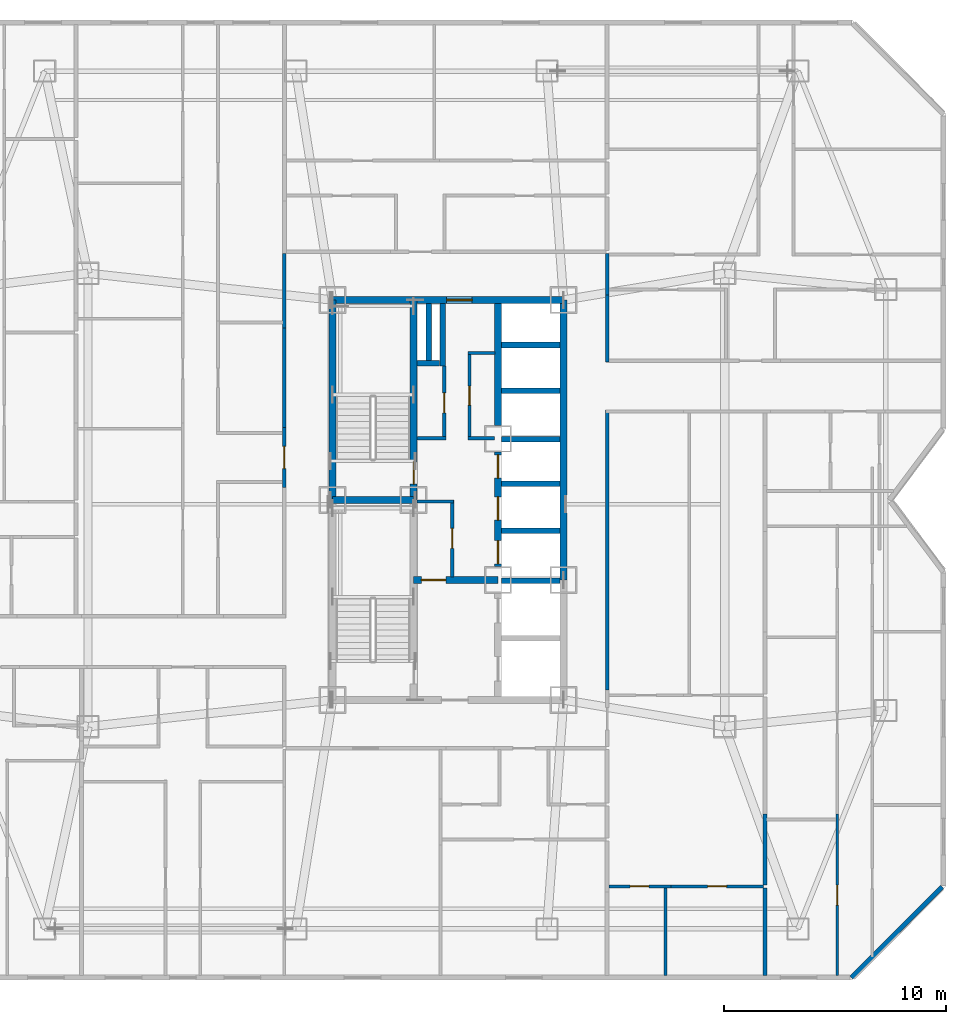
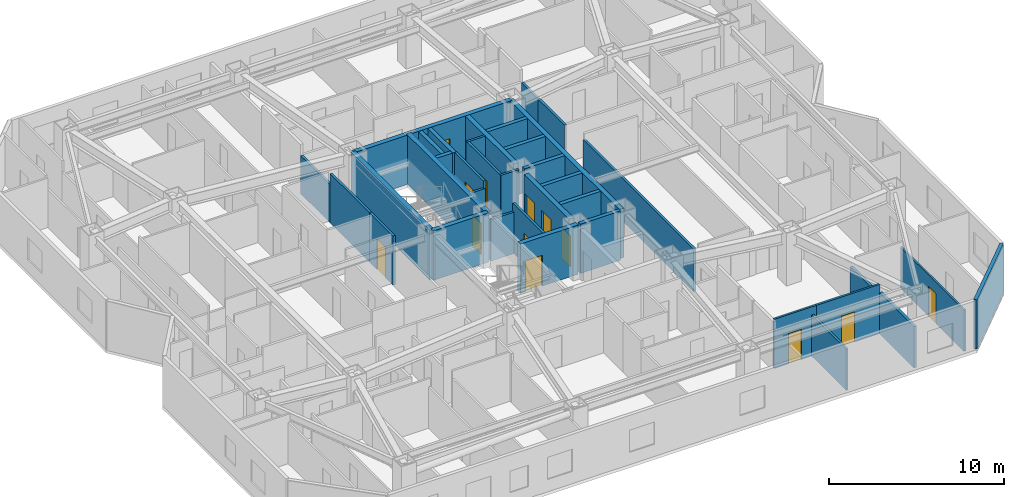
# One storey, part 8 of 13: 37 walls, 13 doors, 13 openings.
"""IFC4 building model written with IfcOpenShell, lengths in metres."""

from ifc_helpers import new_model, si_unit, direction, frame, frame_2d, origin, place, context, subcontext, project, spatial, rectangle, extrude, material, layer, layer_set, type_object, element, fill, save


model = new_model("IFC4")

# Units and contexts
model_context = context("Model", 3, precision=1e-05, world=origin(), true_north=direction((0.0, 1.0)))
body_context = subcontext(model_context, "Body", "Model", "MODEL_VIEW")
ifc_project = project(units=[si_unit("LENGTHUNIT", "METRE"), si_unit("AREAUNIT", "SQUARE_METRE"), si_unit("VOLUMEUNIT", "CUBIC_METRE"), si_unit("PLANEANGLEUNIT", "RADIAN"), si_unit("MASSUNIT", "GRAM", prefix="KILO")], contexts=[model_context])

# Site, building, storey
site_placement = place(None, origin())
site = spatial("IfcSite", under=ifc_project, at=site_placement, CompositionType="ELEMENT")
building_placement = place(site_placement, origin())
building = spatial("IfcBuilding", under=site, at=building_placement, Name="Khamvora Tower", CompositionType="ELEMENT")
storey_placement = place(building_placement, frame((0.0, 0.0, 105.550048828125)))
storey = spatial("IfcBuildingStorey", under=building, at=storey_placement, Name="L26", CompositionType="ELEMENT", Elevation=105.550048828125)

# Wall
ifc_material_1 = material(Name="Concrete C50/60", Category="concrete")
ifc_layer_1 = layer(ifc_material_1, 0.300048828125)
ifc_layer_set_1 = layer_set([ifc_layer_1], Name="Concrete C50/60")
wall_type_1 = type_object("IfcWallType", Name="WAL-CORE-300", PredefinedType="SHEAR", material=ifc_layer_set_1)
wall_1_placement = place(storey_placement, frame((29.0, 28.0, 0.0), z_axis=(0.0, 0.0, 1.0), x_axis=(0.0, 1.0, 0.0)))
element("IfcWall", 1, at=wall_1_placement, inside=storey, type_object=wall_type_1, Name="L26 central core west north wall", PredefinedType="SHEAR", context=body_context, shape_type="SweptSolid", body=[
    extrude(rectangle(XDim=9.0, YDim=0.300048828125, at=frame_2d((4.5, 0.0))), origin(), (0.0, 0.0, 1.0), 3.429931640625),
])

# Wall, opening, door
wall_2_placement = place(storey_placement, frame((29.0, 37.0, 0.0), z_axis=(0.0, 0.0, 1.0), x_axis=(1.0, 0.0, 0.0)))
wall_2 = element("IfcWall", 2, at=wall_2_placement, inside=storey, type_object=wall_type_1, Name="L26 central core north wall", PredefinedType="SHEAR", context=body_context, shape_type="SweptSolid", body=[
    extrude(rectangle(XDim=10.39990234375, YDim=0.300048828125, at=frame_2d((5.199951171875, 0.0))), origin(), (0.0, 0.0, 1.0), 3.429931640625),
])
opening_1_placement = place(wall_2_placement, frame((5.139892578125, 0.0, 0.0)))
opening_1 = element("IfcOpeningElement", 3, at=opening_1_placement, cuts=wall_2, Name="Opening D-SC1", PredefinedType="OPENING", context=body_context, shape_type="SweptSolid", body=[
    extrude(rectangle(XDim=1.14990234375, YDim=2.199951171875, at=frame_2d((0.574951171875, 1.10009765625))), frame((0.0, 0.159912109375, 0.0), z_axis=(0.0, -1.0, 0.0), x_axis=(1.0, 0.0, 0.0)), (0.0, 0.0, 1.0), 0.320068359375),
])
ifc_material_2 = material(Name="Powder-Coated Steel and Hardwood Leaf", Category="steel")
door_type_1 = type_object("IfcDoorType", Name="DOR-SCHL-1150", OperationType="NOTDEFINED", PredefinedType="DOOR", material=ifc_material_2)
door_1_placement = place(opening_1_placement, origin())
door_1 = element("IfcDoor", 4, at=door_1_placement, inside=storey, type_object=door_type_1, Name="L26 north core lobby to corridor fire door", OperationType="SINGLE_SWING_LEFT", OverallHeight=2.199951171875, OverallWidth=1.14990234375, PredefinedType="DOOR", context=body_context, shape_type="SweptSolid", body=[
    extrude(rectangle(XDim=1.14990234375, YDim=2.199951171875, at=frame_2d((0.574951171875, 1.10009765625))), frame((0.0, 0.02490234375, 0.0), z_axis=(0.0, -1.0, 0.0), x_axis=(1.0, 0.0, 0.0)), (0.0, 0.0, 1.0), 0.050048828125),
])
fill(opening_1, door_1)

# Wall
wall_3_placement = place(storey_placement, frame((39.39990234375, 24.39990234375, 0.0), z_axis=(0.0, 0.0, 1.0), x_axis=(0.0, 1.0, 0.0)))
element("IfcWall", 5, at=wall_3_placement, inside=storey, type_object=wall_type_1, Name="L26 central core east north wall", PredefinedType="SHEAR", context=body_context, shape_type="SweptSolid", body=[
    extrude(rectangle(XDim=12.60009765625, YDim=0.300048828125, at=frame_2d((6.300048828125, 0.0))), origin(), (0.0, 0.0, 1.0), 3.429931640625),
])

# Wall, opening, door
wall_4_placement = place(storey_placement, frame((32.64990234375, 28.0, 0.0), z_axis=(0.0, 0.0, 1.0), x_axis=(0.0, 1.0, 0.0)))
wall_4 = element("IfcWall", 6, at=wall_4_placement, inside=storey, type_object=wall_type_1, Name="L26 central core stair north spine wall", PredefinedType="SHEAR", context=body_context, shape_type="SweptSolid", body=[
    extrude(rectangle(XDim=9.0, YDim=0.300048828125, at=frame_2d((4.5, 0.0))), origin(), (0.0, 0.0, 1.0), 3.429931640625),
])
opening_2_placement = place(wall_4_placement, frame((0.719970703125, 0.0, 0.0)))
opening_2 = element("IfcOpeningElement", 7, at=opening_2_placement, cuts=wall_4, Name="Opening D-ST1", PredefinedType="OPENING", context=body_context, shape_type="SweptSolid", body=[
    extrude(rectangle(XDim=1.0, YDim=2.14990234375, at=frame_2d((0.5, 1.074951171875))), frame((0.0, 0.159912109375, 0.0), z_axis=(0.0, -1.0, 0.0), x_axis=(1.0, 0.0, 0.0)), (0.0, 0.0, 1.0), 0.320068359375),
])
door_type_2 = type_object("IfcDoorType", Name="DOR-STAIR-1000", OperationType="NOTDEFINED", PredefinedType="DOOR", material=ifc_material_2)
door_2_placement = place(opening_2_placement, origin())
door_2 = element("IfcDoor", 8, at=door_2_placement, inside=storey, type_object=door_type_2, Name="L26 exit stair ST-02 fire door", OperationType="SINGLE_SWING_RIGHT", OverallHeight=2.14990234375, OverallWidth=1.0, PredefinedType="DOOR", context=body_context, shape_type="SweptSolid", body=[
    extrude(rectangle(XDim=1.0, YDim=2.14990234375, at=frame_2d((0.5, 1.074951171875))), frame((0.0, 0.02490234375, 0.0), z_axis=(0.0, -1.0, 0.0), x_axis=(1.0, 0.0, 0.0)), (0.0, 0.0, 1.0), 0.050048828125),
])
fill(opening_2, door_2)

# Wall
wall_5_placement = place(storey_placement, frame((29.0, 28.0, 0.0), z_axis=(0.0, 0.0, 1.0), x_axis=(1.0, 0.0, 0.0)))
element("IfcWall", 9, at=wall_5_placement, inside=storey, type_object=wall_type_1, Name="L26 central core stair cross wall", PredefinedType="SHEAR", context=body_context, shape_type="SweptSolid", body=[
    extrude(rectangle(XDim=3.64990234375, YDim=0.300048828125, at=frame_2d((1.824951171875, 0.0))), origin(), (0.0, 0.0, 1.0), 3.429931640625),
])

# Wall, opening, door
wall_6_placement = place(storey_placement, frame((32.64990234375, 24.39990234375, 0.0), z_axis=(0.0, 0.0, 1.0), x_axis=(1.0, 0.0, 0.0)))
wall_6 = element("IfcWall", 10, at=wall_6_placement, inside=storey, type_object=wall_type_1, Name="L26 central core firefighting lobby north wall", PredefinedType="SHEAR", context=body_context, shape_type="SweptSolid", body=[
    extrude(rectangle(XDim=3.800048828125, YDim=0.300048828125, at=frame_2d((1.89990234375, 0.0))), origin(), (0.0, 0.0, 1.0), 3.429931640625),
])
opening_3_placement = place(wall_6_placement, frame((0.35009765625, 0.0, 0.0)))
opening_3 = element("IfcOpeningElement", 11, at=opening_3_placement, cuts=wall_6, Name="Opening D-FF1", PredefinedType="OPENING", context=body_context, shape_type="SweptSolid", body=[
    extrude(rectangle(XDim=1.10009765625, YDim=2.14990234375, at=frame_2d((0.550048828125, 1.074951171875))), frame((0.0, 0.159912109375, 0.0), z_axis=(0.0, -1.0, 0.0), x_axis=(1.0, 0.0, 0.0)), (0.0, 0.0, 1.0), 0.320068359375),
])
door_type_3 = type_object("IfcDoorType", Name="DOR-FFLOB-1100", OperationType="NOTDEFINED", PredefinedType="DOOR", material=ifc_material_2)
door_3_placement = place(opening_3_placement, origin())
door_3 = element("IfcDoor", 12, at=door_3_placement, inside=storey, type_object=door_type_3, Name="L26 firefighting lobby smoke-seal fire door", OperationType="SINGLE_SWING_LEFT", OverallHeight=2.14990234375, OverallWidth=1.10009765625, PredefinedType="DOOR", context=body_context, shape_type="SweptSolid", body=[
    extrude(rectangle(XDim=1.10009765625, YDim=2.14990234375, at=frame_2d((0.550048828125, 1.074951171875))), frame((0.0, 0.02490234375, 0.0), z_axis=(0.0, -1.0, 0.0), x_axis=(1.0, 0.0, 0.0)), (0.0, 0.0, 1.0), 0.050048828125),
])
fill(opening_3, door_3)

# Wall, openings, doors
wall_7_placement = place(storey_placement, frame((36.449951171875, 25.0, 0.0), z_axis=(0.0, 0.0, 1.0), x_axis=(0.0, 1.0, 0.0)))
wall_7 = element("IfcWall", 13, at=wall_7_placement, inside=storey, type_object=wall_type_1, Name="L26 central core lift bank central wall", PredefinedType="SHEAR", context=body_context, shape_type="SweptSolid", body=[
    extrude(rectangle(XDim=5.14990234375, YDim=0.300048828125, at=frame_2d((2.574951171875, 0.0))), origin(), (0.0, 0.0, 1.0), 3.429931640625),
])
opening_4_placement = place(wall_7_placement, frame((0.1201171875, 0.0, 0.0)))
opening_4 = element("IfcOpeningElement", 14, at=opening_4_placement, cuts=wall_7, Name="Opening LD-PL", PredefinedType="OPENING", context=body_context, shape_type="SweptSolid", body=[
    extrude(rectangle(XDim=1.050048828125, YDim=2.14990234375, at=frame_2d((0.52490234375, 1.074951171875))), frame((0.0, 0.159912109375, 0.0), z_axis=(0.0, -1.0, 0.0), x_axis=(1.0, 0.0, 0.0)), (0.0, 0.0, 1.0), 0.320068359375),
])
opening_5_placement = place(wall_7_placement, frame((2.094970703125, 0.0, 0.0)))
opening_5 = element("IfcOpeningElement", 15, at=opening_5_placement, cuts=wall_7, Name="Opening LD-PL", PredefinedType="OPENING", context=body_context, shape_type="SweptSolid", body=[
    extrude(rectangle(XDim=1.050048828125, YDim=2.14990234375, at=frame_2d((0.52490234375, 1.074951171875))), frame((0.0, 0.159912109375, 0.0), z_axis=(0.0, -1.0, 0.0), x_axis=(1.0, 0.0, 0.0)), (0.0, 0.0, 1.0), 0.320068359375),
])
opening_6_placement = place(wall_7_placement, frame((3.97998046875, 0.0, 0.0)))
opening_6 = element("IfcOpeningElement", 16, at=opening_6_placement, cuts=wall_7, Name="Opening LD-PL", PredefinedType="OPENING", context=body_context, shape_type="SweptSolid", body=[
    extrude(rectangle(XDim=1.050048828125, YDim=2.14990234375, at=frame_2d((0.52490234375, 1.074951171875))), frame((0.0, 0.159912109375, 0.0), z_axis=(0.0, -1.0, 0.0), x_axis=(1.0, 0.0, 0.0)), (0.0, 0.0, 1.0), 0.320068359375),
])
door_type_4 = type_object("IfcDoorType", Name="DOR-LIFT-1050", OperationType="SLIDING_TO_LEFT", PredefinedType="DOOR", material=ifc_material_2)
door_4_placement = place(opening_4_placement, origin())
door_4 = element("IfcDoor", 17, at=door_4_placement, inside=storey, type_object=door_type_4, Name="L26 lift landing sliding door PL-01", OperationType="SLIDING_TO_LEFT", OverallHeight=2.14990234375, OverallWidth=1.050048828125, PredefinedType="DOOR", context=body_context, shape_type="SweptSolid", body=[
    extrude(rectangle(XDim=1.050048828125, YDim=2.14990234375, at=frame_2d((0.52490234375, 1.074951171875))), frame((0.0, 0.02490234375, 0.0), z_axis=(0.0, -1.0, 0.0), x_axis=(1.0, 0.0, 0.0)), (0.0, 0.0, 1.0), 0.050048828125),
])
fill(opening_4, door_4)
door_5_placement = place(opening_5_placement, origin())
door_5 = element("IfcDoor", 18, at=door_5_placement, inside=storey, type_object=door_type_4, Name="L26 lift landing sliding door PL-02", OperationType="SLIDING_TO_LEFT", OverallHeight=2.14990234375, OverallWidth=1.050048828125, PredefinedType="DOOR", context=body_context, shape_type="SweptSolid", body=[
    extrude(rectangle(XDim=1.050048828125, YDim=2.14990234375, at=frame_2d((0.52490234375, 1.074951171875))), frame((0.0, 0.02490234375, 0.0), z_axis=(0.0, -1.0, 0.0), x_axis=(1.0, 0.0, 0.0)), (0.0, 0.0, 1.0), 0.050048828125),
])
fill(opening_5, door_5)
door_6_placement = place(opening_6_placement, origin())
door_6 = element("IfcDoor", 19, at=door_6_placement, inside=storey, type_object=door_type_4, Name="L26 lift landing sliding door PL-03", OperationType="SLIDING_TO_LEFT", OverallHeight=2.14990234375, OverallWidth=1.050048828125, PredefinedType="DOOR", context=body_context, shape_type="SweptSolid", body=[
    extrude(rectangle(XDim=1.050048828125, YDim=2.14990234375, at=frame_2d((0.52490234375, 1.074951171875))), frame((0.0, 0.02490234375, 0.0), z_axis=(0.0, -1.0, 0.0), x_axis=(1.0, 0.0, 0.0)), (0.0, 0.0, 1.0), 0.050048828125),
])
fill(opening_6, door_6)

# Walls
wall_8_placement = place(storey_placement, frame((36.449951171875, 31.35009765625, 0.0), z_axis=(0.0, 0.0, 1.0), x_axis=(0.0, 1.0, 0.0)))
element("IfcWall", 20, at=wall_8_placement, inside=storey, type_object=wall_type_1, Name="L26 central core lift bank north wall", PredefinedType="SHEAR", context=body_context, shape_type="SweptSolid", body=[
    extrude(rectangle(XDim=5.495849609375, YDim=0.300048828125, at=frame_2d((2.748046875, 0.0))), origin(), (0.0, 0.0, 1.0), 3.429931640625),
])
ifc_material_3 = material(Name="Fire-Rated Drywall and Steel Stud", Category="steel")
ifc_layer_2 = layer(ifc_material_3, 0.14990234375)
ifc_layer_set_2 = layer_set([ifc_layer_2], Name="Fire-Rated Drywall and Steel Stud")
wall_type_2 = type_object("IfcWallType", Name="WAL-CORR-150", PredefinedType="STANDARD", material=ifc_layer_set_2)
wall_9_placement = place(storey_placement, frame((36.305908203125, 34.614990234375, 0.0), z_axis=(0.0, 0.0, 1.0), x_axis=(-1.0, 0.0, 0.0)))
element("IfcWall", 21, at=wall_9_placement, inside=storey, type_object=wall_type_2, Name="L26 interior partition wall 001", PredefinedType="STANDARD", context=body_context, shape_type="SweptSolid", body=[
    extrude(rectangle(XDim=1.205810546875, YDim=0.14990234375, at=frame_2d((0.60302734375, 0.0))), origin(), (0.0, 0.0, 1.0), 3.429931640625),
])

# Wall, opening, door
wall_10_placement = place(storey_placement, frame((35.1650390625, 34.677978515625, 0.0), z_axis=(0.0, 0.0, 1.0), x_axis=(0.0, -1.0, 0.0)))
wall_10 = element("IfcWall", 22, at=wall_10_placement, inside=storey, type_object=wall_type_2, Name="L26 interior partition wall 002", PredefinedType="STANDARD", context=body_context, shape_type="SweptSolid", body=[
    extrude(rectangle(XDim=3.9580078125, YDim=0.14990234375, at=frame_2d((1.97900390625, 0.0))), origin(), (0.0, 0.0, 1.0), 3.429931640625),
])
opening_7_placement = place(wall_10_placement, frame((1.553955078125, 0.0, 0.0)))
opening_7 = element("IfcOpeningElement", 23, at=opening_7_placement, cuts=wall_10, Name="Opening D-WC1", PredefinedType="OPENING", context=body_context, shape_type="SweptSolid", body=[
    extrude(rectangle(XDim=0.85009765625, YDim=2.10009765625, at=frame_2d((0.425048828125, 1.050048828125))), frame((0.0, 0.0849609375, 0.0), z_axis=(0.0, -1.0, 0.0), x_axis=(1.0, 0.0, 0.0)), (0.0, 0.0, 1.0), 0.169921875),
])
door_type_5 = type_object("IfcDoorType", Name="DOR-WET-850", OperationType="NOTDEFINED", PredefinedType="DOOR", material=ifc_material_2)
door_7_placement = place(opening_7_placement, origin())
door_7 = element("IfcDoor", 24, at=door_7_placement, inside=storey, type_object=door_type_5, Name="L26 interior door PLL-CS1", OperationType="SINGLE_SWING_RIGHT", OverallHeight=2.10009765625, OverallWidth=0.85009765625, PredefinedType="DOOR", context=body_context, shape_type="SweptSolid", body=[
    extrude(rectangle(XDim=0.85009765625, YDim=2.10009765625, at=frame_2d((0.425048828125, 1.050048828125))), frame((0.0, 0.02490234375, 0.0), z_axis=(0.0, -1.0, 0.0), x_axis=(1.0, 0.0, 0.0)), (0.0, 0.0, 1.0), 0.050048828125),
])
fill(opening_7, door_7)

# Walls
wall_11_placement = place(storey_placement, frame((35.10205078125, 30.784912109375, 0.0), z_axis=(0.0, 0.0, 1.0), x_axis=(1.0, 0.0, 0.0)))
element("IfcWall", 25, at=wall_11_placement, inside=storey, type_object=wall_type_2, Name="L26 interior partition wall 003", PredefinedType="STANDARD", context=body_context, shape_type="SweptSolid", body=[
    extrude(rectangle(XDim=1.197998046875, YDim=0.14990234375, at=frame_2d((0.59912109375, 0.0))), origin(), (0.0, 0.0, 1.0), 3.429931640625),
])
wall_12_placement = place(storey_placement, frame((32.7939453125, 30.784912109375, 0.0), z_axis=(0.0, 0.0, 1.0), x_axis=(1.0, 0.0, 0.0)))
element("IfcWall", 26, at=wall_12_placement, inside=storey, type_object=wall_type_2, Name="L26 interior partition wall 004", PredefinedType="STANDARD", context=body_context, shape_type="SweptSolid", body=[
    extrude(rectangle(XDim=1.30615234375, YDim=0.14990234375, at=frame_2d((0.653076171875, 0.0))), origin(), (0.0, 0.0, 1.0), 2.886962890625),
])

# Wall, opening, door
wall_13_placement = place(storey_placement, frame((34.034912109375, 30.719970703125, 0.0), z_axis=(0.0, 0.0, 1.0), x_axis=(0.0, 1.0, 0.0)))
wall_13 = element("IfcWall", 27, at=wall_13_placement, inside=storey, type_object=wall_type_2, Name="L26 interior partition wall 005", PredefinedType="STANDARD", context=body_context, shape_type="SweptSolid", body=[
    extrude(rectangle(XDim=3.300048828125, YDim=0.14990234375, at=frame_2d((1.64990234375, 0.0))), origin(), (0.0, 0.0, 1.0), 3.429931640625),
])
opening_8_placement = place(wall_13_placement, frame((1.199951171875, 0.0, 0.0)))
opening_8 = element("IfcOpeningElement", 28, at=opening_8_placement, cuts=wall_13, Name="Opening D-RM1", PredefinedType="OPENING", context=body_context, shape_type="SweptSolid", body=[
    extrude(rectangle(XDim=0.89990234375, YDim=2.10009765625, at=frame_2d((0.449951171875, 1.050048828125))), frame((0.0, 0.0849609375, 0.0), z_axis=(0.0, -1.0, 0.0), x_axis=(1.0, 0.0, 0.0)), (0.0, 0.0, 1.0), 0.169921875),
])
door_type_6 = type_object("IfcDoorType", Name="DOR-ROOM-900", OperationType="NOTDEFINED", PredefinedType="DOOR", material=ifc_material_2)
door_8_placement = place(opening_8_placement, origin())
door_8 = element("IfcDoor", 29, at=door_8_placement, inside=storey, type_object=door_type_6, Name="L26 interior door PLL-CS2", OperationType="SINGLE_SWING_LEFT", OverallHeight=2.10009765625, OverallWidth=0.89990234375, PredefinedType="DOOR", context=body_context, shape_type="SweptSolid", body=[
    extrude(rectangle(XDim=0.89990234375, YDim=2.10009765625, at=frame_2d((0.449951171875, 1.050048828125))), frame((0.0, 0.02490234375, 0.0), z_axis=(0.0, -1.0, 0.0), x_axis=(1.0, 0.0, 0.0)), (0.0, 0.0, 1.0), 0.050048828125),
])
fill(opening_8, door_8)

wall_14_placement = place(storey_placement, frame((34.385009765625, 24.5439453125, 0.0), z_axis=(0.0, 0.0, 1.0), x_axis=(0.0, 1.0, 0.0)))
wall_14 = element("IfcWall", 30, at=wall_14_placement, inside=storey, type_object=wall_type_2, Name="L26 interior partition wall 006", PredefinedType="STANDARD", context=body_context, shape_type="SweptSolid", body=[
    extrude(rectangle(XDim=3.4560546875, YDim=0.14990234375, at=frame_2d((1.72802734375, 0.0))), origin(), (0.0, 0.0, 1.0), 3.429931640625),
])
opening_9_placement = place(wall_14_placement, frame((1.278076171875, 0.0, 0.0)))
opening_9 = element("IfcOpeningElement", 31, at=opening_9_placement, cuts=wall_14, Name="Opening D-RM1", PredefinedType="OPENING", context=body_context, shape_type="SweptSolid", body=[
    extrude(rectangle(XDim=0.89990234375, YDim=2.10009765625, at=frame_2d((0.449951171875, 1.050048828125))), frame((0.0, 0.0849609375, 0.0), z_axis=(0.0, -1.0, 0.0), x_axis=(1.0, 0.0, 0.0)), (0.0, 0.0, 1.0), 0.169921875),
])
door_9_placement = place(opening_9_placement, origin())
door_9 = element("IfcDoor", 32, at=door_9_placement, inside=storey, type_object=door_type_6, Name="L26 interior door PLL-CS3", OperationType="SINGLE_SWING_RIGHT", OverallHeight=2.10009765625, OverallWidth=0.89990234375, PredefinedType="DOOR", context=body_context, shape_type="SweptSolid", body=[
    extrude(rectangle(XDim=0.89990234375, YDim=2.10009765625, at=frame_2d((0.449951171875, 1.050048828125))), frame((0.0, 0.02490234375, 0.0), z_axis=(0.0, -1.0, 0.0), x_axis=(1.0, 0.0, 0.0)), (0.0, 0.0, 1.0), 0.050048828125),
])
fill(opening_9, door_9)

# Walls
wall_15_placement = place(storey_placement, frame((34.449951171875, 27.93505859375, 0.0), z_axis=(0.0, 0.0, 1.0), x_axis=(-1.0, 0.0, 0.0)))
element("IfcWall", 33, at=wall_15_placement, inside=storey, type_object=wall_type_2, Name="L26 interior partition wall 007", PredefinedType="STANDARD", context=body_context, shape_type="SweptSolid", body=[
    extrude(rectangle(XDim=1.656005859375, YDim=0.14990234375, at=frame_2d((0.828125, 0.0))), origin(), (0.0, 0.0, 1.0), 2.886962890625),
])
wall_16_placement = place(storey_placement, frame((26.8349609375, 35.73193359375, 0.0), z_axis=(0.0, 0.0, 1.0), x_axis=(0.0, 1.0, 0.0)))
element("IfcWall", 34, at=wall_16_placement, inside=storey, type_object=wall_type_2, Name="L26 interior partition wall 020", PredefinedType="STANDARD", context=body_context, shape_type="SweptSolid", body=[
    extrude(rectangle(XDim=3.3681640625, YDim=0.14990234375, at=frame_2d((1.68408203125, 0.0))), origin(), (0.0, 0.0, 1.0), 2.64697265625),
])

# Wall, opening, door
wall_17_placement = place(storey_placement, frame((26.8349609375, 28.56689453125, 0.0), z_axis=(0.0, 0.0, 1.0), x_axis=(0.0, 1.0, 0.0)))
wall_17 = element("IfcWall", 35, at=wall_17_placement, inside=storey, type_object=wall_type_2, Name="L26 interior partition wall 021", PredefinedType="STANDARD", context=body_context, shape_type="SweptSolid", body=[
    extrude(rectangle(XDim=2.697998046875, YDim=0.14990234375, at=frame_2d((1.34912109375, 0.0))), origin(), (0.0, 0.0, 1.0), 3.429931640625),
])
opening_10_placement = place(wall_17_placement, frame((0.84912109375, 0.0, 0.0)))
opening_10 = element("IfcOpeningElement", 36, at=opening_10_placement, cuts=wall_17, Name="Opening D-U1", PredefinedType="OPENING", context=body_context, shape_type="SweptSolid", body=[
    extrude(rectangle(XDim=1.0, YDim=2.14990234375, at=frame_2d((0.5, 1.074951171875))), frame((0.0, 0.0849609375, 0.0), z_axis=(0.0, -1.0, 0.0), x_axis=(1.0, 0.0, 0.0)), (0.0, 0.0, 1.0), 0.169921875),
])
door_type_7 = type_object("IfcDoorType", Name="DOR-UNIT-1000", OperationType="NOTDEFINED", PredefinedType="DOOR", material=ifc_material_2)
door_10_placement = place(opening_10_placement, origin())
door_10 = element("IfcDoor", 37, at=door_10_placement, inside=storey, type_object=door_type_7, Name="L26 interior door COR-26WC2H", OperationType="SINGLE_SWING_LEFT", OverallHeight=2.14990234375, OverallWidth=1.0, PredefinedType="DOOR", context=body_context, shape_type="SweptSolid", body=[
    extrude(rectangle(XDim=1.0, YDim=2.14990234375, at=frame_2d((0.5, 1.074951171875))), frame((0.0, 0.02490234375, 0.0), z_axis=(0.0, -1.0, 0.0), x_axis=(1.0, 0.0, 0.0)), (0.0, 0.0, 1.0), 0.050048828125),
])
fill(opening_10, door_10)

# Walls
wall_18_placement = place(storey_placement, frame((26.8349609375, 31.264892578125, 0.0), z_axis=(0.0, 0.0, 1.0), x_axis=(0.0, 1.0, 0.0)))
element("IfcWall", 38, at=wall_18_placement, inside=storey, type_object=wall_type_2, Name="L26 interior partition wall 023", PredefinedType="STANDARD", context=body_context, shape_type="SweptSolid", body=[
    extrude(rectangle(XDim=4.467041015625, YDim=0.14990234375, at=frame_2d((2.2333984375, 0.0))), origin(), (0.0, 0.0, 1.0), 3.429931640625),
])
wall_19_placement = place(storey_placement, frame((41.364990234375, 32.048095703125, 0.0), z_axis=(0.0, 0.0, 1.0), x_axis=(0.0, -1.0, 0.0)))
element("IfcWall", 39, at=wall_19_placement, inside=storey, type_object=wall_type_2, Name="L26 interior partition wall 036", PredefinedType="STANDARD", context=body_context, shape_type="SweptSolid", body=[
    extrude(rectangle(XDim=12.589111328125, YDim=0.14990234375, at=frame_2d((6.29443359375, 0.0))), origin(), (0.0, 0.0, 1.0), 2.9609375),
])
wall_20_placement = place(storey_placement, frame((41.364990234375, 39.10009765625, 0.0), z_axis=(0.0, 0.0, 1.0), x_axis=(0.0, -1.0, 0.0)))
element("IfcWall", 40, at=wall_20_placement, inside=storey, type_object=wall_type_2, Name="L26 interior partition wall 040", PredefinedType="STANDARD", context=body_context, shape_type="SweptSolid", body=[
    extrude(rectangle(XDim=1.885009765625, YDim=0.14990234375, at=frame_2d((0.9423828125, 0.0))), origin(), (0.0, 0.0, 1.0), 2.64697265625),
])
wall_21_placement = place(storey_placement, frame((41.364990234375, 37.215087890625, 0.0), z_axis=(0.0, 0.0, 1.0), x_axis=(0.0, -1.0, 0.0)))
element("IfcWall", 41, at=wall_21_placement, inside=storey, type_object=wall_type_2, Name="L26 interior partition wall 042", PredefinedType="STANDARD", context=body_context, shape_type="SweptSolid", body=[
    extrude(rectangle(XDim=3.01513671875, YDim=0.14990234375, at=frame_2d((1.507568359375, 0.0))), origin(), (0.0, 0.0, 1.0), 2.64697265625),
])
ifc_material_4 = material(Name="Acoustic Double-Stud Fire Wall", Category="gypsum")
ifc_layer_3 = layer(ifc_material_4, 0.179931640625)
ifc_layer_set_3 = layer_set([ifc_layer_3], Name="Acoustic Double-Stud Fire Wall")
wall_type_3 = type_object("IfcWallType", Name="WAL-CORR-180", PredefinedType="STANDARD", material=ifc_layer_set_3)
wall_22_placement = place(storey_placement, frame((48.4599609375, 13.87109375, 0.0), z_axis=(0.0, 0.0, 1.0), x_axis=(0.0, -1.0, 0.0)))
element("IfcWall", 42, at=wall_22_placement, inside=storey, type_object=wall_type_3, Name="L26 interior partition wall 135", PredefinedType="STANDARD", context=body_context, shape_type="SweptSolid", body=[
    extrude(rectangle(XDim=3.196044921875, YDim=0.179931640625, at=frame_2d((1.59814453125, 0.0))), origin(), (0.0, 0.0, 1.0), 2.64697265625),
])
wall_23_placement = place(storey_placement, frame((48.4599609375, 10.544921875, 0.0), z_axis=(0.0, 0.0, 1.0), x_axis=(0.0, -1.0, 0.0)))
element("IfcWall", 43, at=wall_23_placement, inside=storey, type_object=wall_type_3, Name="L26 interior partition wall 143", PredefinedType="STANDARD", context=body_context, shape_type="SweptSolid", body=[
    extrude(rectangle(XDim=3.932861328125, YDim=0.179931640625, at=frame_2d((1.96630859375, 0.0))), origin(), (0.0, 0.0, 1.0), 2.8759765625),
])
ifc_material_5 = material(Name="Precast concrete C40/50", Category="concrete")
ifc_layer_4 = layer(ifc_material_5, 0.219970703125)
ifc_layer_set_4 = layer_set([ifc_layer_4], Name="Precast concrete C40/50")
wall_type_4 = type_object("IfcWallType", Name="WAL-EXT-220", PredefinedType="STANDARD", material=ifc_layer_set_4)
wall_24_placement = place(storey_placement, frame((56.43994140625, 10.595947265625, 0.0), z_axis=(0.0, 0.0, 1.0), x_axis=(-0.707106781187, -0.707106781187, 0.0)))
element("IfcWall", 44, at=wall_24_placement, inside=storey, type_object=wall_type_4, Name="L26 exterior facade wall 13.1", PredefinedType="STANDARD", context=body_context, shape_type="SweptSolid", body=[
    extrude(rectangle(XDim=5.7783203125, YDim=0.219970703125, at=frame_2d((2.88916015625, 0.0))), origin(), (0.0, 0.0, 1.0), 3.429931640625),
])

# Wall, opening, door
ifc_material_6 = material(Name="Gypsum Plasterboard Partition", Category="gypsum")
ifc_layer_5 = layer(ifc_material_6, 0.1201171875)
ifc_layer_set_5 = layer_set([ifc_layer_5], Name="Gypsum Plasterboard Partition")
wall_type_5 = type_object("IfcWallType", Name="WAL-PART-120", PredefinedType="PARTITIONING", material=ifc_layer_set_5)
wall_25_placement = place(storey_placement, frame((51.722900390625, 6.612060546875, 0.0), z_axis=(0.0, 0.0, 1.0), x_axis=(0.0, 1.0, 0.0)))
wall_25 = element("IfcWall", 45, at=wall_25_placement, inside=storey, type_object=wall_type_5, Name="L26 interior partition wall 148", PredefinedType="PARTITIONING", context=body_context, shape_type="SweptSolid", body=[
    extrude(rectangle(XDim=7.259033203125, YDim=0.1201171875, at=frame_2d((3.62939453125, 0.0))), origin(), (0.0, 0.0, 1.0), 2.8759765625),
])
opening_11_placement = place(wall_25_placement, frame((3.157958984375, 0.0, 0.0)))
opening_11 = element("IfcOpeningElement", 46, at=opening_11_placement, cuts=wall_25, Name="Opening D-RM1", PredefinedType="OPENING", context=body_context, shape_type="SweptSolid", body=[
    extrude(rectangle(XDim=0.89990234375, YDim=2.10009765625, at=frame_2d((0.449951171875, 1.050048828125))), frame((0.0, 0.070068359375, 0.0), z_axis=(0.0, -1.0, 0.0), x_axis=(1.0, 0.0, 0.0)), (0.0, 0.0, 1.0), 0.14013671875),
])
door_11_placement = place(opening_11_placement, origin())
door_11 = element("IfcDoor", 47, at=door_11_placement, inside=storey, type_object=door_type_6, Name="L26 interior door 26EBH-26EBL", OperationType="SINGLE_SWING_RIGHT", OverallHeight=2.10009765625, OverallWidth=0.89990234375, PredefinedType="DOOR", context=body_context, shape_type="SweptSolid", body=[
    extrude(rectangle(XDim=0.89990234375, YDim=2.10009765625, at=frame_2d((0.449951171875, 1.050048828125))), frame((0.0, 0.02490234375, 0.0), z_axis=(0.0, -1.0, 0.0), x_axis=(1.0, 0.0, 0.0)), (0.0, 0.0, 1.0), 0.050048828125),
])
fill(opening_11, door_11)

# Walls
ifc_material_7 = material(Name="Concrete C40/50", Category="concrete")
ifc_layer_6 = layer(ifc_material_7, 0.25)
ifc_layer_set_6 = layer_set([ifc_layer_6], Name="Concrete C40/50")
wall_type_6 = type_object("IfcWallType", Name="WAL-PODS-250", PredefinedType="SHEAR", material=ifc_layer_set_6)
for number, where, z_axis, x_axis, name in (
    (48, (36.60400390625, 24.375, 0.0), (0.0, 0.0, 1.0), (1.0, 0.0, 0.0), "L26 lift shaft divider wall FFL-02"),
    (49, (36.60400390625, 26.625, 0.0), (0.0, 0.0, 1.0), (1.0, 0.0, 0.0), "L26 lift shaft divider wall PL-01"),
    (50, (36.60400390625, 28.72509765625, 0.0), (0.0, 0.0, 1.0), (1.0, 0.0, 0.0), "L26 lift shaft divider wall PL-02"),
    (51, (36.60400390625, 30.72509765625, 0.0), (0.0, 0.0, 1.0), (1.0, 0.0, 0.0), "L26 lift shaft divider wall PL-03"),
    (52, (36.60400390625, 32.925048828125, 0.0), (0.0, 0.0, 1.0), (1.0, 0.0, 0.0), "L26 lift shaft divider wall PH-01"),
    (53, (36.60400390625, 34.97509765625, 0.0), (0.0, 0.0, 1.0), (1.0, 0.0, 0.0), "L26 lift shaft divider wall PH-02"),
):
    element("IfcWall", number, at=place(storey_placement, frame(where, z_axis=z_axis, x_axis=x_axis)), inside=storey, type_object=wall_type_6, Name=name, PredefinedType="SHEAR", context=body_context, shape_type="SweptSolid", body=[
        extrude(rectangle(XDim=2.64208984375, YDim=0.25, at=frame_2d((1.321044921875, 0.0))), origin(), (0.0, 0.0, 1.0), 3.429931640625),
    ])
wall_26_placement = place(storey_placement, frame((33.955078125, 34.02490234375, 0.0), z_axis=(0.0, 0.0, 1.0), x_axis=(0.0, 1.0, 0.0)))
element("IfcWall", 54, at=wall_26_placement, inside=storey, type_object=wall_type_6, Name="L26 vertical MEP riser shaft east enclosure wall", PredefinedType="SHEAR", context=body_context, shape_type="SweptSolid", body=[
    extrude(rectangle(XDim=2.821044921875, YDim=0.25, at=frame_2d((1.41064453125, 0.0))), origin(), (0.0, 0.0, 1.0), 3.429931640625),
])
wall_27_placement = place(storey_placement, frame((32.803955078125, 34.14990234375, 0.0), z_axis=(0.0, 0.0, 1.0), x_axis=(1.0, 0.0, 0.0)))
element("IfcWall", 55, at=wall_27_placement, inside=storey, type_object=wall_type_6, Name="L26 vertical MEP riser shaft south enclosure wall", PredefinedType="SHEAR", context=body_context, shape_type="SweptSolid", body=[
    extrude(rectangle(XDim=1.02197265625, YDim=0.25, at=frame_2d((0.510986328125, 0.0))), origin(), (0.0, 0.0, 1.0), 3.429931640625),
])
wall_28_placement = place(storey_placement, frame((33.340087890625, 34.279052734375, 0.0), z_axis=(0.0, 0.0, 1.0), x_axis=(0.0, 1.0, 0.0)))
element("IfcWall", 56, at=wall_28_placement, inside=storey, type_object=wall_type_6, Name="L26 vertical MEP riser shaft divider enclosure wall", PredefinedType="SHEAR", context=body_context, shape_type="SweptSolid", body=[
    extrude(rectangle(XDim=2.56689453125, YDim=0.25, at=frame_2d((1.283447265625, 0.0))), origin(), (0.0, 0.0, 1.0), 3.429931640625),
])

# Wall, opening, door
ifc_material_8 = material(Name="Moisture-Resistant Plasterboard Partition", Category="gypsum")
ifc_layer_7 = layer(ifc_material_8, 0.135009765625)
ifc_layer_set_7 = layer_set([ifc_layer_7], Name="Moisture-Resistant Plasterboard Partition")
wall_type_7 = type_object("IfcWallType", Name="WAL-WET-135", PredefinedType="PARTITIONING", material=ifc_layer_set_7)
wall_29_placement = place(storey_placement, frame((44.22900390625, 10.610107421875, 0.0), z_axis=(0.0, 0.0, 1.0), x_axis=(-1.0, 0.0, 0.0)))
wall_29 = element("IfcWall", 57, at=wall_29_placement, inside=storey, type_object=wall_type_7, Name="L26 interior partition wall 132", PredefinedType="PARTITIONING", context=body_context, shape_type="SweptSolid", body=[
    extrude(rectangle(XDim=2.781982421875, YDim=0.135009765625, at=frame_2d((1.39111328125, 0.0))), origin(), (0.0, 0.0, 1.0), 3.429931640625),
])
opening_12_placement = place(wall_29_placement, frame((0.987060546875, 0.0, 0.0)))
opening_12 = element("IfcOpeningElement", 58, at=opening_12_placement, cuts=wall_29, Name="Opening D-WC1", PredefinedType="OPENING", context=body_context, shape_type="SweptSolid", body=[
    extrude(rectangle(XDim=0.85009765625, YDim=2.10009765625, at=frame_2d((0.425048828125, 1.050048828125))), frame((0.0, 0.077392578125, 0.0), z_axis=(0.0, -1.0, 0.0), x_axis=(1.0, 0.0, 0.0)), (0.0, 0.0, 1.0), 0.155029296875),
])
door_12_placement = place(opening_12_placement, origin())
door_12 = element("IfcDoor", 59, at=door_12_placement, inside=storey, type_object=door_type_5, Name="L26 interior door 26EAH-26EAB", OperationType="SINGLE_SWING_RIGHT", OverallHeight=2.10009765625, OverallWidth=0.85009765625, PredefinedType="DOOR", context=body_context, shape_type="SweptSolid", body=[
    extrude(rectangle(XDim=0.85009765625, YDim=2.10009765625, at=frame_2d((0.425048828125, 1.050048828125))), frame((0.0, 0.02490234375, 0.0), z_axis=(0.0, -1.0, 0.0), x_axis=(1.0, 0.0, 0.0)), (0.0, 0.0, 1.0), 0.050048828125),
])
fill(opening_12, door_12)

wall_30_placement = place(storey_placement, frame((48.39501953125, 10.610107421875, 0.0), z_axis=(0.0, 0.0, 1.0), x_axis=(-1.0, 0.0, 0.0)))
wall_30 = element("IfcWall", 60, at=wall_30_placement, inside=storey, type_object=wall_type_7, Name="L26 interior partition wall 133", PredefinedType="PARTITIONING", context=body_context, shape_type="SweptSolid", body=[
    extrude(rectangle(XDim=4.166015625, YDim=0.135009765625, at=frame_2d((2.0830078125, 0.0))), origin(), (0.0, 0.0, 1.0), 3.429931640625),
])
opening_13_placement = place(wall_30_placement, frame((1.657958984375, 0.0, 0.0)))
opening_13 = element("IfcOpeningElement", 61, at=opening_13_placement, cuts=wall_30, Name="Opening D-RM2", PredefinedType="OPENING", context=body_context, shape_type="SweptSolid", body=[
    extrude(rectangle(XDim=0.85009765625, YDim=2.10009765625, at=frame_2d((0.425048828125, 1.050048828125))), frame((0.0, 0.077392578125, 0.0), z_axis=(0.0, -1.0, 0.0), x_axis=(1.0, 0.0, 0.0)), (0.0, 0.0, 1.0), 0.155029296875),
])
door_type_8 = type_object("IfcDoorType", Name="DOR-ROOM-850", OperationType="NOTDEFINED", PredefinedType="DOOR", material=ifc_material_2)
door_13_placement = place(opening_13_placement, origin())
door_13 = element("IfcDoor", 62, at=door_13_placement, inside=storey, type_object=door_type_8, Name="L26 interior door 26EAH-26EAK", OperationType="SINGLE_SWING_LEFT", OverallHeight=2.10009765625, OverallWidth=0.85009765625, PredefinedType="DOOR", context=body_context, shape_type="SweptSolid", body=[
    extrude(rectangle(XDim=0.85009765625, YDim=2.10009765625, at=frame_2d((0.425048828125, 1.050048828125))), frame((0.0, 0.02490234375, 0.0), z_axis=(0.0, -1.0, 0.0), x_axis=(1.0, 0.0, 0.0)), (0.0, 0.0, 1.0), 0.050048828125),
])
fill(opening_13, door_13)

# Wall
wall_31_placement = place(storey_placement, frame((43.97998046875, 10.548095703125, 0.0), z_axis=(0.0, 0.0, 1.0), x_axis=(0.0, -1.0, 0.0)))
element("IfcWall", 63, at=wall_31_placement, inside=storey, type_object=wall_type_7, Name="L26 interior partition wall 142", PredefinedType="PARTITIONING", context=body_context, shape_type="SweptSolid", body=[
    extrude(rectangle(XDim=3.93603515625, YDim=0.135009765625, at=frame_2d((1.968017578125, 0.0))), origin(), (0.0, 0.0, 1.0), 2.8759765625),
])

save(model, "model.ifc")
